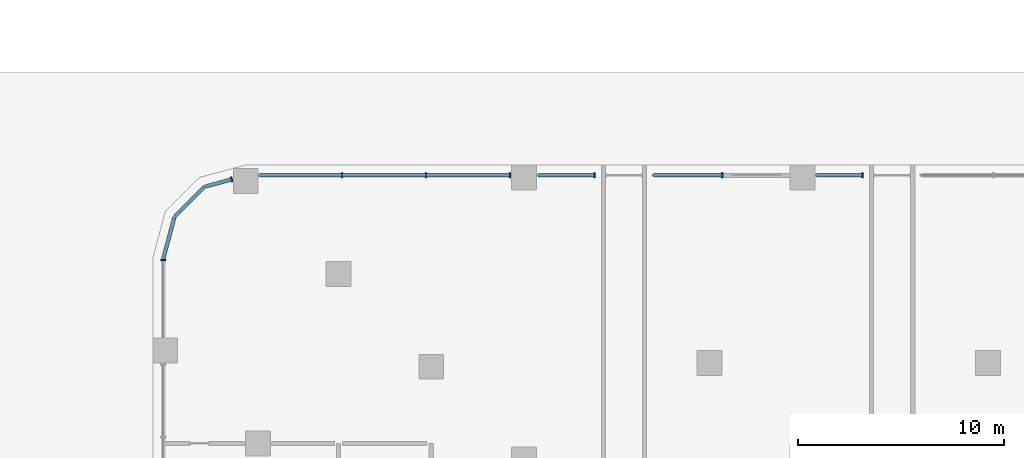
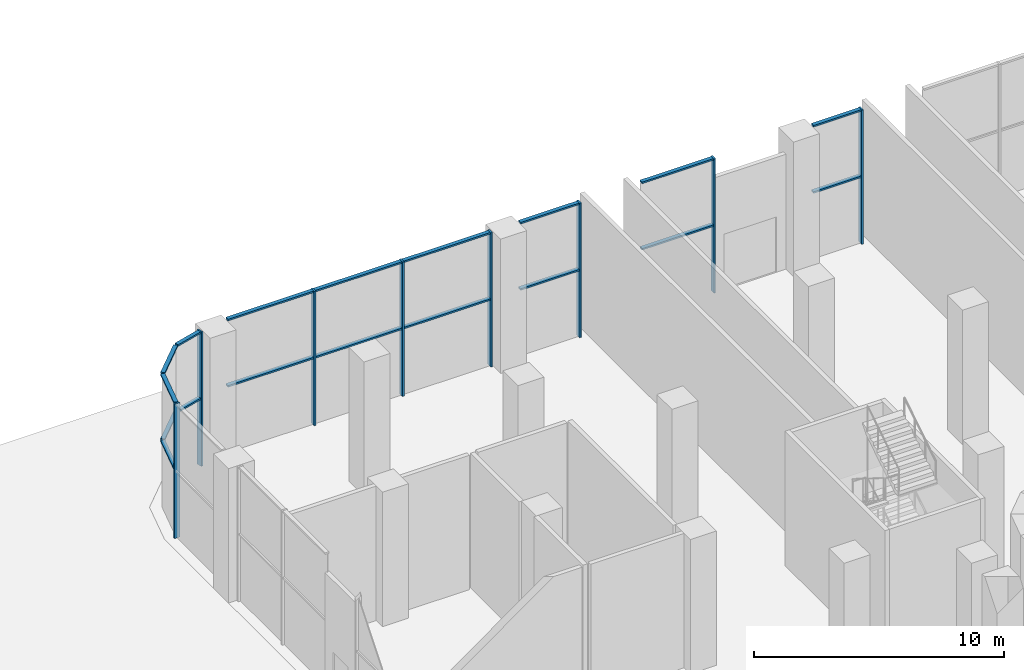
# One storey, part 8 of 34: 22 members, 5 elements without a shape of their own.
"""IFC4 building model written with IfcOpenShell, lengths in metres."""

from ifc_helpers import new_model, si_unit, direction, origin, place, context, subcontext, project, spatial, polyline, outline, extrude, source, transform, mapped, material, type_object, element, aggregate, save


model = new_model("IFC4")

# Units and contexts
model_context = context("Model", 3, precision=1e-05, world=origin(), true_north=direction((0.0, 1.0)))
body_context = subcontext(model_context, "Body", "Model", "MODEL_VIEW")
ifc_project = project(units=[si_unit("LENGTHUNIT", "METRE"), si_unit("AREAUNIT", "SQUARE_METRE"), si_unit("VOLUMEUNIT", "CUBIC_METRE"), si_unit("PLANEANGLEUNIT", "RADIAN"), si_unit("MASSUNIT", "GRAM", prefix="KILO")], contexts=[model_context])

# Site, building, storey
site_placement = place(None, origin())
site = spatial("IfcSite", under=ifc_project, at=site_placement, CompositionType="ELEMENT")
building_placement = place(site_placement, origin())
building = spatial("IfcBuilding", under=site, at=building_placement, Name="Zarbagh Exchange Tower", CompositionType="ELEMENT")
storey_placement = place(building_placement, origin())
storey = spatial("IfcBuildingStorey", under=building, at=storey_placement, Name="L00", CompositionType="ELEMENT", Elevation=0.0)

# Curtain wall, members
ifc_material_1 = material(Name="Anodised aluminium frame and glazing", Category="aluminium")
curtain_wall_type = type_object("IfcCurtainWallType", Name="CWC Podium garden-wall glazing", PredefinedType="NOTDEFINED", material=ifc_material_1)
curtain_wall_1_placement = place(storey_placement, origin())
curtain_wall_1 = element("IfcCurtainWall", 1, at=curtain_wall_1_placement, inside=storey, type_object=curtain_wall_type, Name="CWC25 curtain wall", PredefinedType="NOTDEFINED")
ifc_material_2 = material(Name="Anodised aluminium frame", Category="aluminium")
member_type_1 = type_object("IfcMemberType", Name="MUC Mullion, anodised aluminium frame", PredefinedType="MULLION", material=ifc_material_2)
shared_shape_1 = source(origin(), body_context, "Body", "SweptSolid", [
    extrude(outline(polyline([(0.0, -0.125), (0.080078125, -0.125), (0.080078125, 0.125), (0.0, 0.125), (0.0, -0.125)])), origin(), (0.0, 0.0, 1.0), 6.550048828125),
])
placement = place(storey_placement, origin())
member_1 = element("IfcMember", 2, at=placement, type_object=member_type_1, Name="CWC25 mullion 4.1", PredefinedType="MULLION", context=body_context, shape_type="MappedRepresentation", body=[
    mapped(shared_shape_1, transform((5.2099609375, 55.75, 0.0), x_axis=(-1.0, 0.0, 0.0), y_axis=(0.0, -1.0, 0.0), z_axis=(0.0, 0.0, 1.0))),
])
member_2 = element("IfcMember", 3, at=placement, type_object=member_type_1, Name="CWC25 mullion 5.1", PredefinedType="MULLION", context=body_context, shape_type="MappedRepresentation", body=[
    mapped(shared_shape_1, transform((-1.60009765625, 55.75, 0.0), x_axis=(-1.0, 0.0, 0.0), y_axis=(0.0, -1.0, 0.0), z_axis=(0.0, 0.0, 1.0))),
])
member_3 = element("IfcMember", 4, at=placement, type_object=member_type_1, Name="CWC25 mullion 6.1", PredefinedType="MULLION", context=body_context, shape_type="MappedRepresentation", body=[
    mapped(shared_shape_1, transform((-7.7900390625, 55.75, 0.0), x_axis=(-1.0, 0.0, 0.0), y_axis=(0.0, -1.0, 0.0), z_axis=(0.0, 0.0, 1.0))),
])
member_4 = element("IfcMember", 5, at=placement, type_object=member_type_1, Name="CWC25 mullion 7.1", PredefinedType="MULLION", context=body_context, shape_type="MappedRepresentation", body=[
    mapped(shared_shape_1, transform((-11.89013671875, 55.75, 0.0), x_axis=(-1.0, 0.0, 0.0), y_axis=(0.0, -1.0, 0.0), z_axis=(0.0, 0.0, 1.0))),
])
member_5 = element("IfcMember", 6, at=placement, type_object=member_type_1, Name="CWC25 mullion 7.2", PredefinedType="MULLION", context=body_context, shape_type="MappedRepresentation", body=[
    mapped(shared_shape_1, transform((-15.96337890625, 55.75, 0.0), x_axis=(-1.0, 0.0, 0.0), y_axis=(0.0, -1.0, 0.0), z_axis=(0.0, 0.0, 1.0))),
])
member_6 = element("IfcMember", 7, at=placement, type_object=member_type_1, Name="CWC25 mullion 7.3", PredefinedType="MULLION", context=body_context, shape_type="MappedRepresentation", body=[
    mapped(shared_shape_1, transform((-20.03662109375, 55.75, 0.0), x_axis=(-1.0, 0.0, 0.0), y_axis=(0.0, -1.0, 0.0), z_axis=(0.0, 0.0, 1.0))),
])

# Curtain wall, member
curtain_wall_2_placement = place(storey_placement, origin())
curtain_wall_2 = element("IfcCurtainWall", 8, at=curtain_wall_2_placement, inside=storey, type_object=curtain_wall_type, Name="CWC26 curtain wall", PredefinedType="NOTDEFINED")
member_7 = element("IfcMember", 9, at=placement, type_object=member_type_1, Name="CWC26 mullion 1.1", PredefinedType="MULLION", context=body_context, shape_type="MappedRepresentation", body=[
    mapped(shared_shape_1, transform((-25.389892578125, 55.560791015625, 0.0), x_axis=(-0.965924289636, -0.258824779902, 0.0), y_axis=(0.258824779902, -0.965924289636, 0.0), z_axis=(0.0, 0.0, 1.0))),
])

curtain_wall_3_placement = place(storey_placement, origin())
curtain_wall_3 = element("IfcCurtainWall", 10, at=curtain_wall_3_placement, inside=storey, type_object=curtain_wall_type, Name="CWC29 curtain wall", PredefinedType="NOTDEFINED")
member_8 = element("IfcMember", 11, at=placement, type_object=member_type_1, Name="CWC29 mullion 1.1", PredefinedType="MULLION", context=body_context, shape_type="MappedRepresentation", body=[
    mapped(shared_shape_1, transform((-28.75, 51.68408203125, 0.0), x_axis=(0.0, -1.0, 0.0), y_axis=(1.0, 0.0, 0.0), z_axis=(0.0, 0.0, 1.0))),
])
aggregate(curtain_wall_3, [member_8])

# Curtain wall, members
curtain_wall_4_placement = place(storey_placement, origin())
curtain_wall_4 = element("IfcCurtainWall", 12, at=curtain_wall_4_placement, inside=storey, type_object=curtain_wall_type, Name="CWC28 curtain wall", PredefinedType="NOTDEFINED")
member_type_2 = type_object("IfcMemberType", Name="TRC Transom, anodised aluminium frame", PredefinedType="USERDEFINED", material=ifc_material_2)
shared_shape_2 = source(origin(), body_context, "Body", "SweptSolid", [
    extrude(outline(polyline([(-0.080078125, -0.090087890625), (0.0, -0.090087890625), (0.0, 0.090087890625), (-0.080078125, 0.090087890625), (-0.080078125, -0.090087890625)])), origin(), (0.0, 0.0, 1.0), 2.049560546875),
])
member_9 = element("IfcMember", 13, at=placement, type_object=member_type_2, Name="CWC28 transom 1.1", ObjectType="TRANSOM", PredefinedType="USERDEFINED", context=body_context, shape_type="MappedRepresentation", body=[
    mapped(shared_shape_2, transform((-28.209228515625, 53.70263671875, 6.550048828125), x_axis=(0.0, 0.0, 1.0), y_axis=(-0.965924289636, 0.258824779902, 0.0), z_axis=(-0.258824779902, -0.965924289636, 0.0))),
])
shared_shape_3 = source(origin(), body_context, "Body", "SweptSolid", [
    extrude(outline(polyline([(-0.0400390625, -0.090087890625), (0.0400390625, -0.090087890625), (0.0400390625, 0.090087890625), (-0.0400390625, 0.090087890625), (-0.0400390625, -0.090087890625)])), origin(), (0.0, 0.0, 1.0), 2.049560546875),
])
member_10 = element("IfcMember", 14, at=placement, type_object=member_type_2, Name="CWC28 mid transom 1", ObjectType="TRANSOM", PredefinedType="USERDEFINED", context=body_context, shape_type="MappedRepresentation", body=[
    mapped(shared_shape_3, transform((-28.209228515625, 53.70263671875, 3.27490234375), x_axis=(0.0, 0.0, 1.0), y_axis=(-0.965924289636, 0.258824779902, 0.0), z_axis=(-0.258824779902, -0.965924289636, 0.0))),
])
aggregate(curtain_wall_4, [member_9, member_10])

curtain_wall_5_placement = place(storey_placement, origin())
curtain_wall_5 = element("IfcCurtainWall", 15, at=curtain_wall_5_placement, inside=storey, type_object=curtain_wall_type, Name="CWC27 curtain wall", PredefinedType="NOTDEFINED")
shared_shape_4 = source(origin(), body_context, "Body", "SweptSolid", [
    extrude(outline(polyline([(-0.080078125, -0.090087890625), (0.0, -0.090087890625), (0.0, 0.090087890625), (-0.080078125, 0.090087890625), (-0.080078125, -0.090087890625)])), origin(), (0.0, 0.0, 1.0), 1.9814453125),
])
member_11 = element("IfcMember", 16, at=placement, type_object=member_type_2, Name="CWC27 transom 1.1", ObjectType="TRANSOM", PredefinedType="USERDEFINED", context=body_context, shape_type="MappedRepresentation", body=[
    mapped(shared_shape_4, transform((-26.76953125, 55.17041015625, 6.550048828125), x_axis=(0.0, 0.0, 1.0), y_axis=(-0.707106781187, 0.707106781187, 0.0), z_axis=(-0.707106781187, -0.707106781187, 0.0))),
])
shared_shape_5 = source(origin(), body_context, "Body", "SweptSolid", [
    extrude(outline(polyline([(-0.0400390625, -0.090087890625), (0.0400390625, -0.090087890625), (0.0400390625, 0.090087890625), (-0.0400390625, 0.090087890625), (-0.0400390625, -0.090087890625)])), origin(), (0.0, 0.0, 1.0), 1.9814453125),
])
member_12 = element("IfcMember", 17, at=placement, type_object=member_type_2, Name="CWC27 mid transom 1", ObjectType="TRANSOM", PredefinedType="USERDEFINED", context=body_context, shape_type="MappedRepresentation", body=[
    mapped(shared_shape_5, transform((-26.76953125, 55.17041015625, 3.27490234375), x_axis=(0.0, 0.0, 1.0), y_axis=(-0.707106781187, 0.707106781187, 0.0), z_axis=(-0.707106781187, -0.707106781187, 0.0))),
])
aggregate(curtain_wall_5, [member_11, member_12])

# Member
shared_shape_6 = source(origin(), body_context, "Body", "SweptSolid", [
    extrude(outline(polyline([(-0.080078125, -0.090087890625), (0.0, -0.090087890625), (0.0, 0.090087890625), (-0.080078125, 0.090087890625), (-0.080078125, -0.090087890625)])), origin(), (0.0, 0.0, 1.0), 1.31884765625),
])
member_13 = element("IfcMember", 18, at=placement, type_object=member_type_2, Name="CWC26 transom 1.1", ObjectType="TRANSOM", PredefinedType="USERDEFINED", context=body_context, shape_type="MappedRepresentation", body=[
    mapped(shared_shape_6, transform((-25.4287109375, 55.550537109375, 6.550048828125), x_axis=(0.0, 0.0, 1.0), y_axis=(-0.258824779902, 0.965924289636, 0.0), z_axis=(-0.965924289636, -0.258824779902, 0.0))),
])

shared_shape_7 = source(origin(), body_context, "Body", "SweptSolid", [
    extrude(outline(polyline([(-0.0400390625, -0.090087890625), (0.0400390625, -0.090087890625), (0.0400390625, 0.090087890625), (-0.0400390625, 0.090087890625), (-0.0400390625, -0.090087890625)])), origin(), (0.0, 0.0, 1.0), 1.31884765625),
])
member_14 = element("IfcMember", 19, at=placement, type_object=member_type_2, Name="CWC26 mid transom 1", ObjectType="TRANSOM", PredefinedType="USERDEFINED", context=body_context, shape_type="MappedRepresentation", body=[
    mapped(shared_shape_7, transform((-25.4287109375, 55.550537109375, 3.27490234375), x_axis=(0.0, 0.0, 1.0), y_axis=(-0.258824779902, 0.965924289636, 0.0), z_axis=(-0.965924289636, -0.258824779902, 0.0))),
])

aggregate(curtain_wall_2, [member_7, member_13, member_14])

shared_shape_8 = source(origin(), body_context, "Body", "SweptSolid", [
    extrude(outline(polyline([(-0.080078125, -0.090087890625), (0.0, -0.090087890625), (0.0, 0.090087890625), (-0.080078125, 0.090087890625), (-0.080078125, -0.090087890625)])), origin(), (0.0, 0.0, 1.0), 12.139892578125),
])
member_15 = element("IfcMember", 20, at=placement, type_object=member_type_2, Name="CWC25 transom 7.1", ObjectType="TRANSOM", PredefinedType="USERDEFINED", context=body_context, shape_type="MappedRepresentation", body=[
    mapped(shared_shape_8, transform((-11.929931640625, 55.75, 6.550048828125), x_axis=(0.0, 0.0, 1.0), y_axis=(0.0, 1.0, 0.0), z_axis=(-1.0, 0.0, 0.0))),
])

shared_shape_9 = source(origin(), body_context, "Body", "SweptSolid", [
    extrude(outline(polyline([(-0.0400390625, -0.090087890625), (0.0400390625, -0.090087890625), (0.0400390625, 0.090087890625), (-0.0400390625, 0.090087890625), (-0.0400390625, -0.090087890625)])), origin(), (0.0, 0.0, 1.0), 12.139892578125),
])
member_16 = element("IfcMember", 21, at=placement, type_object=member_type_2, Name="CWC25 mid transom 7", ObjectType="TRANSOM", PredefinedType="USERDEFINED", context=body_context, shape_type="MappedRepresentation", body=[
    mapped(shared_shape_9, transform((-11.929931640625, 55.75, 3.27490234375), x_axis=(0.0, 0.0, 1.0), y_axis=(0.0, 1.0, 0.0), z_axis=(-1.0, 0.0, 0.0))),
])

shared_shape_10 = source(origin(), body_context, "Body", "SweptSolid", [
    extrude(outline(polyline([(-0.080078125, -0.090087890625), (0.0, -0.090087890625), (0.0, 0.090087890625), (-0.080078125, 0.090087890625), (-0.080078125, -0.090087890625)])), origin(), (0.0, 0.0, 1.0), 2.239990234375),
])
member_17 = element("IfcMember", 22, at=placement, type_object=member_type_2, Name="CWC25 transom 4.1", ObjectType="TRANSOM", PredefinedType="USERDEFINED", context=body_context, shape_type="MappedRepresentation", body=[
    mapped(shared_shape_10, transform((5.169921875, 55.75, 6.550048828125), x_axis=(0.0, 0.0, 1.0), y_axis=(0.0, 1.0, 0.0), z_axis=(-1.0, 0.0, 0.0))),
])

shared_shape_11 = source(origin(), body_context, "Body", "SweptSolid", [
    extrude(outline(polyline([(-0.0400390625, -0.090087890625), (0.0400390625, -0.090087890625), (0.0400390625, 0.090087890625), (-0.0400390625, 0.090087890625), (-0.0400390625, -0.090087890625)])), origin(), (0.0, 0.0, 1.0), 2.239990234375),
])
member_18 = element("IfcMember", 23, at=placement, type_object=member_type_2, Name="CWC25 mid transom 4", ObjectType="TRANSOM", PredefinedType="USERDEFINED", context=body_context, shape_type="MappedRepresentation", body=[
    mapped(shared_shape_11, transform((5.169921875, 55.75, 3.27490234375), x_axis=(0.0, 0.0, 1.0), y_axis=(0.0, 1.0, 0.0), z_axis=(-1.0, 0.0, 0.0))),
])

shared_shape_12 = source(origin(), body_context, "Body", "SweptSolid", [
    extrude(outline(polyline([(-0.080078125, -0.090087890625), (0.0, -0.090087890625), (0.0, 0.090087890625), (-0.080078125, 0.090087890625), (-0.080078125, -0.090087890625)])), origin(), (0.0, 0.0, 1.0), 3.330078125),
])
member_19 = element("IfcMember", 24, at=placement, type_object=member_type_2, Name="CWC25 transom 5.1", ObjectType="TRANSOM", PredefinedType="USERDEFINED", context=body_context, shape_type="MappedRepresentation", body=[
    mapped(shared_shape_12, transform((-1.639892578125, 55.75, 6.550048828125), x_axis=(0.0, 0.0, 1.0), y_axis=(0.0, 1.0, 0.0), z_axis=(-1.0, 0.0, 0.0))),
])

shared_shape_13 = source(origin(), body_context, "Body", "SweptSolid", [
    extrude(outline(polyline([(-0.0400390625, -0.090087890625), (0.0400390625, -0.090087890625), (0.0400390625, 0.090087890625), (-0.0400390625, 0.090087890625), (-0.0400390625, -0.090087890625)])), origin(), (0.0, 0.0, 1.0), 3.330078125),
])
member_20 = element("IfcMember", 25, at=placement, type_object=member_type_2, Name="CWC25 mid transom 5", ObjectType="TRANSOM", PredefinedType="USERDEFINED", context=body_context, shape_type="MappedRepresentation", body=[
    mapped(shared_shape_13, transform((-1.639892578125, 55.75, 3.27490234375), x_axis=(0.0, 0.0, 1.0), y_axis=(0.0, 1.0, 0.0), z_axis=(-1.0, 0.0, 0.0))),
])

shared_shape_14 = source(origin(), body_context, "Body", "SweptSolid", [
    extrude(outline(polyline([(-0.080078125, -0.090087890625), (0.0, -0.090087890625), (0.0, 0.090087890625), (-0.080078125, 0.090087890625), (-0.080078125, -0.090087890625)])), origin(), (0.0, 0.0, 1.0), 2.739990234375),
])
member_21 = element("IfcMember", 26, at=placement, type_object=member_type_2, Name="CWC25 transom 6.1", ObjectType="TRANSOM", PredefinedType="USERDEFINED", context=body_context, shape_type="MappedRepresentation", body=[
    mapped(shared_shape_14, transform((-7.830078125, 55.75, 6.550048828125), x_axis=(0.0, 0.0, 1.0), y_axis=(0.0, 1.0, 0.0), z_axis=(-1.0, 0.0, 0.0))),
])

shared_shape_15 = source(origin(), body_context, "Body", "SweptSolid", [
    extrude(outline(polyline([(-0.0400390625, -0.090087890625), (0.0400390625, -0.090087890625), (0.0400390625, 0.090087890625), (-0.0400390625, 0.090087890625), (-0.0400390625, -0.090087890625)])), origin(), (0.0, 0.0, 1.0), 2.739990234375),
])
member_22 = element("IfcMember", 27, at=placement, type_object=member_type_2, Name="CWC25 mid transom 6", ObjectType="TRANSOM", PredefinedType="USERDEFINED", context=body_context, shape_type="MappedRepresentation", body=[
    mapped(shared_shape_15, transform((-7.830078125, 55.75, 3.27490234375), x_axis=(0.0, 0.0, 1.0), y_axis=(0.0, 1.0, 0.0), z_axis=(-1.0, 0.0, 0.0))),
])

aggregate(curtain_wall_1, [member_1, member_17, member_18, member_2, member_19, member_20, member_3, member_21, member_22, member_4, member_15, member_16, member_5, member_6])

save(model, "model.ifc")
